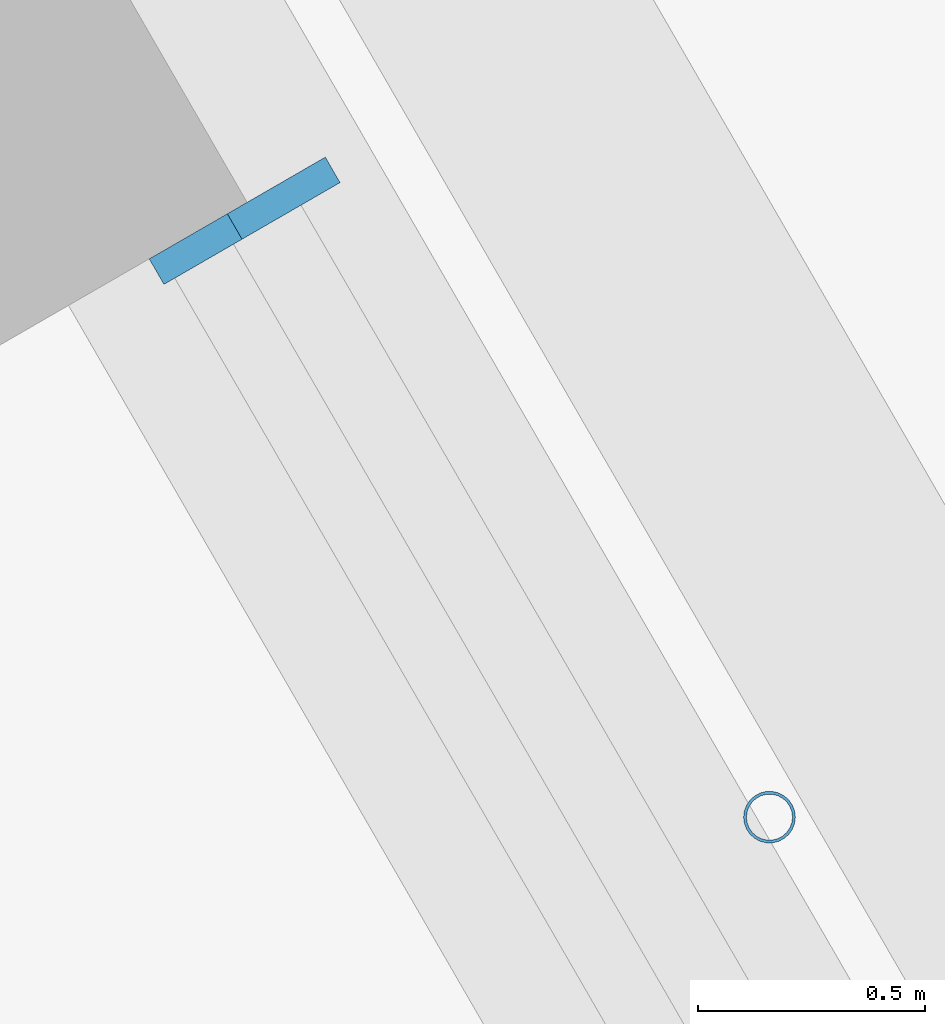
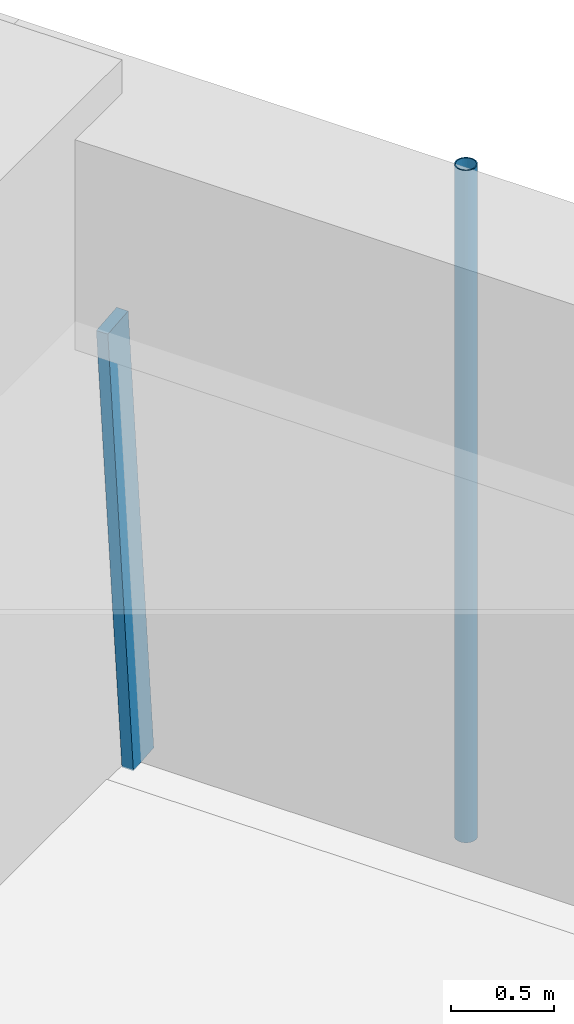
# One storey, part 15 of 24: 2 members, 1 element without a shape of its own.
"""IFC4 building model written with IfcOpenShell, lengths in metres."""

from ifc_helpers import new_model, si_unit, direction, frame, origin, origin_2d, place, context, subcontext, project, spatial, rectangle, hollow_circle, extrude, material, material_profile, profile_set, type_object, element, aggregate, save


model = new_model("IFC4")

# Units and contexts
model_context = context("Model", 3, precision=1e-05, world=origin(), true_north=direction((0.0, 1.0)))
body_context = subcontext(model_context, "Body", "Model", "MODEL_VIEW")
ifc_project = project(units=[si_unit("LENGTHUNIT", "METRE"), si_unit("AREAUNIT", "SQUARE_METRE"), si_unit("VOLUMEUNIT", "CUBIC_METRE"), si_unit("PLANEANGLEUNIT", "RADIAN"), si_unit("MASSUNIT", "GRAM", prefix="KILO")], contexts=[model_context])

# Site, building, storey
site_placement = place(None, origin())
site = spatial("IfcSite", under=ifc_project, at=site_placement, CompositionType="ELEMENT")
building_placement = place(site_placement, origin())
building = spatial("IfcBuilding", under=site, at=building_placement, Name="Tarfa Lantern Tower", CompositionType="ELEMENT")
storey_placement = place(building_placement, frame((0.0, 0.0, 182.5)))
storey = spatial("IfcBuildingStorey", under=building, at=storey_placement, Name="L41", CompositionType="ELEMENT", Elevation=182.5)

# Curtain wall, member
ifc_material_1 = material(Name="Aluminium framed curtain wall", Category="aluminium")
curtain_wall_type = type_object("IfcCurtainWallType", Name="CW2 CANTED GLAZING MID ZONE 2750", PredefinedType="USERDEFINED", material=ifc_material_1)
curtain_wall_placement = place(storey_placement, origin())
curtain_wall = element("IfcCurtainWall", 1, at=curtain_wall_placement, inside=storey, type_object=curtain_wall_type, Name="CW2 NE L41", ObjectType="CURTAIN WALL", PredefinedType="USERDEFINED")
ifc_material_2 = material(Name="Aluminium mullion", Category="aluminium")
ifc_material_profile_1 = material_profile(ifc_material_2, rectangle(XDim=0.06494140625, YDim=0.199951171875, at=origin_2d()), Name="AL MULLION 65x200")
ifc_profile_set_1 = profile_set([ifc_material_profile_1], Name="Aluminium mullion")
member_type_1 = type_object("IfcMemberType", Name="CWM1 MULLION 65x200", PredefinedType="MULLION", material=ifc_profile_set_1)
member_1_placement = place(storey_placement, frame((30.086181640625, 10.68896484375, 0.0), z_axis=(-0.078335079308, -0.045268127094, 0.995898796073), x_axis=(0.500342721131, -0.865827443207, 0.0)))
member_1 = element("IfcMember", 2, at=member_1_placement, type_object=member_type_1, Name="CW2 mullion 2", PredefinedType="MULLION", context=body_context, shape_type="SweptSolid", body=[
    extrude(rectangle(XDim=0.06494140625, YDim=0.199951171875, at=origin_2d()), origin(), (0.0, 0.0, 1.0), 2.76123046875),
])
aggregate(curtain_wall, [member_1])

# Member
ifc_material_3 = material(Name="Steel S355", Category="steel")
ifc_material_profile_2 = material_profile(ifc_material_3, hollow_circle(Radius=0.05712890625, WallThickness=0.00634765625, at=origin_2d()), Name="CHS114.3x6.3")
ifc_profile_set_2 = profile_set([ifc_material_profile_2], Name="Steel S355")
member_type_2 = type_object("IfcMemberType", Name="TR1 GREEN WALL TRELLIS CHS114.3x6.3", PredefinedType="USERDEFINED", material=ifc_profile_set_2)
member_2_placement = place(storey_placement, frame((31.136474609375, 9.31005859375, 0.0), z_axis=(0.0, 0.0, 1.0), x_axis=(1.0, 0.0, 0.0)))
element("IfcMember", 3, at=member_2_placement, inside=storey, type_object=member_type_2, Name="Trellis post NE 1", ObjectType="TRELLIS", PredefinedType="USERDEFINED", context=body_context, shape_type="SweptSolid", body=[
    extrude(hollow_circle(Radius=0.05712890625, WallThickness=0.00634765625, at=origin_2d()), origin(), (0.0, 0.0, 1.0), 4.0),
])

save(model, "model.ifc")
